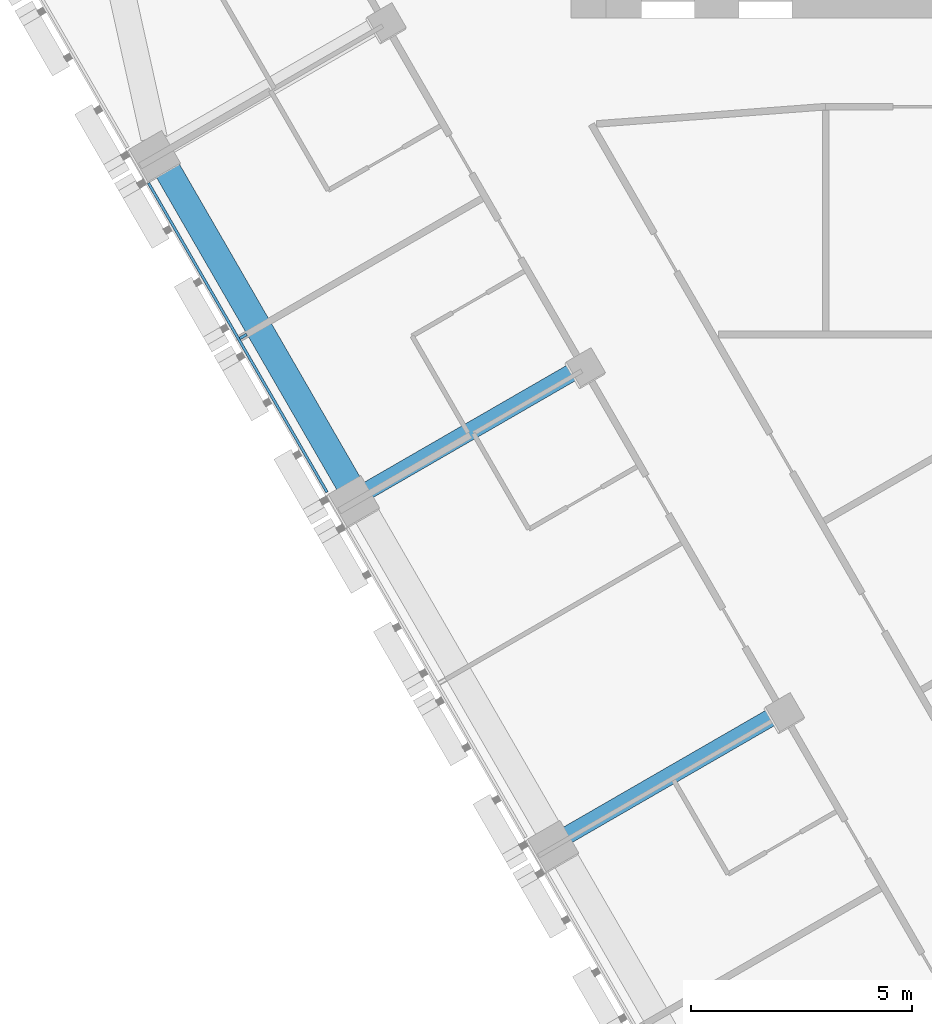
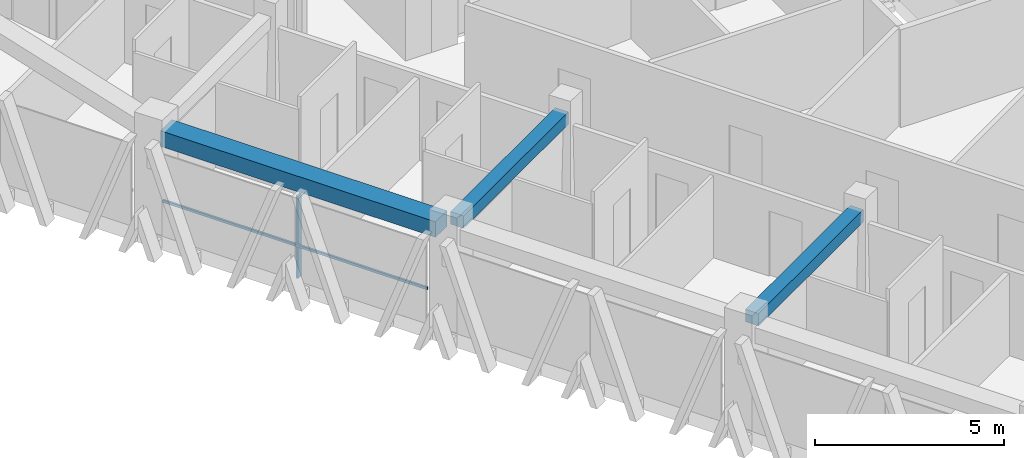
# One storey, part 3 of 16: 3 beams, 2 members, 1 element without a shape of its own.
"""IFC4 building model written with IfcOpenShell, lengths in metres."""

from ifc_helpers import new_model, si_unit, direction, frame, origin, origin_2d, place, context, subcontext, project, spatial, rectangle, extrude, material, layer, layer_set, material_profile, profile_set, type_object, element, aggregate, save


model = new_model("IFC4")

# Units and contexts
model_context = context("Model", 3, precision=1e-05, world=origin(), true_north=direction((0.0, 1.0)))
body_context = subcontext(model_context, "Body", "Model", "MODEL_VIEW")
ifc_project = project(units=[si_unit("LENGTHUNIT", "METRE"), si_unit("AREAUNIT", "SQUARE_METRE"), si_unit("VOLUMEUNIT", "CUBIC_METRE"), si_unit("PLANEANGLEUNIT", "RADIAN"), si_unit("MASSUNIT", "GRAM", prefix="KILO")], contexts=[model_context])

# Site, building, storey
site_placement = place(None, origin())
site = spatial("IfcSite", under=ifc_project, at=site_placement, CompositionType="ELEMENT")
building_placement = place(site_placement, origin())
building = spatial("IfcBuilding", under=site, at=building_placement, Name="Altiplano Prism Tower", CompositionType="ELEMENT")
storey_placement = place(building_placement, frame((0.0, 0.0, 131.39990234375)))
storey = spatial("IfcBuildingStorey", under=building, at=storey_placement, Name="L33", CompositionType="ELEMENT", Elevation=131.39990234375)

# Curtain wall, members
ifc_material_1 = material(Name="Aluminium and glass", Category="aluminium")
ifc_layer = layer(ifc_material_1, 0.280029296875)
ifc_layer_set = layer_set([ifc_layer], Name="Aluminium and glass")
curtain_wall_type = type_object("IfcCurtainWallType", Name="CW1 typical co-living unitised curtain wall", PredefinedType="NOTDEFINED", material=ifc_layer_set)
curtain_wall_placement = place(storey_placement, origin())
curtain_wall = element("IfcCurtainWall", 1, at=curtain_wall_placement, inside=storey, type_object=curtain_wall_type, Name="CW1 curtain wall south-west face L33", PredefinedType="NOTDEFINED")
ifc_material_2 = material(Name="Aluminium", Category="aluminium")
ifc_material_profile_1 = material_profile(ifc_material_2, rectangle(XDim=0.179931640625, YDim=0.06494140625, at=origin_2d()), Name="CW1 mullion 65 x 180")
ifc_profile_set_1 = profile_set([ifc_material_profile_1], Name="Aluminium")
member_type_1 = type_object("IfcMemberType", Name="CW1 mullion 65 x 180", PredefinedType="MULLION", material=ifc_profile_set_1)
member_1_placement = place(storey_placement, frame((64.797607421875, 85.406982421875, 0.0), z_axis=(0.0, 0.0, 1.0), x_axis=(0.86602540251, 0.500000002207, 0.0)))
member_1 = element("IfcMember", 2, at=member_1_placement, type_object=member_type_1, Name="CW1 mullion", PredefinedType="MULLION", context=body_context, shape_type="SweptSolid", body=[
    extrude(rectangle(XDim=0.179931640625, YDim=0.06494140625, at=origin_2d()), origin(), (0.0, 0.0, 1.0), 2.650146484375),
])
ifc_material_profile_2 = material_profile(ifc_material_2, rectangle(XDim=0.06005859375, YDim=0.080078125, at=origin_2d()), Name="CW1 transom 80 x 60")
ifc_profile_set_2 = profile_set([ifc_material_profile_2], Name="Aluminium")
member_type_2 = type_object("IfcMemberType", Name="CW1 transom 80 x 60", PredefinedType="USERDEFINED", material=ifc_profile_set_2)
member_2_placement = place(storey_placement, frame((62.656494140625, 88.87548828125, 1.10009765625), z_axis=(0.500030598376, -0.866007737083, 0.0), x_axis=(0.866007737083, 0.500030598376, 0.0)))
member_2 = element("IfcMember", 3, at=member_2_placement, type_object=member_type_2, Name="CW1 transom", ObjectType="TRANSOM", PredefinedType="USERDEFINED", context=body_context, shape_type="SweptSolid", body=[
    extrude(rectangle(XDim=0.06005859375, YDim=0.080078125, at=origin_2d()), origin(), (0.0, 0.0, 1.0), 8.06982421875),
])
aggregate(curtain_wall, [member_1, member_2])

# Beams
ifc_material_3 = material(Name="Concrete C60/75", Category="concrete")
ifc_material_profile_3 = material_profile(ifc_material_3, rectangle(XDim=0.60009765625, YDim=0.5, at=origin_2d()), Name="Edge beam 600x500")
ifc_profile_set_3 = profile_set([ifc_material_profile_3], Name="Concrete C60/75")
beam_type_1 = type_object("IfcBeamType", Name="Edge beam 600x500", PredefinedType="SPANDREL", material=ifc_profile_set_3)
beam_placement = place(storey_placement, frame((63.00537109375, 89.30859375, 2.900146484375), z_axis=(0.500010445942, -0.866019372733, 0.0), x_axis=(0.866019372733, 0.500010445942, 0.0)))
element("IfcBeam", 4, at=beam_placement, inside=storey, type_object=beam_type_1, Name="Edge beam P11-P12 L34", PredefinedType="SPANDREL", context=body_context, shape_type="SweptSolid", body=[
    extrude(rectangle(XDim=0.60009765625, YDim=0.5, at=origin_2d()), origin(), (0.0, 0.0, 1.0), 8.389892578125),
])
ifc_material_profile_4 = material_profile(ifc_material_3, rectangle(XDim=0.39990234375, YDim=0.39990234375, at=origin_2d()), Name="Tie beam 400x400")
ifc_profile_set_4 = profile_set([ifc_material_profile_4], Name="Concrete C60/75")
beam_type_2 = type_object("IfcBeamType", Name="Tie beam 400x400", PredefinedType="BEAM", material=ifc_profile_set_4)
for number, where, z_axis, x_axis, name in (
    (5, (72.414794921875, 84.700927734375, 2.9501953125), (-0.866027073272, -0.499997108352, 0.0), (0.499997108352, -0.866027073272, 0.0), "Tie beam I12 L34"),
    (6, (76.914794921875, 76.90673828125, 2.9501953125), (-0.866027073272, -0.499997108352, 0.0), (0.499997108352, -0.866027073272, 0.0), "Tie beam I13 L34"),
):
    element("IfcBeam", number, at=place(storey_placement, frame(where, z_axis=z_axis, x_axis=x_axis)), inside=storey, type_object=beam_type_2, Name=name, PredefinedType="BEAM", context=body_context, shape_type="SweptSolid", body=[
        extrude(rectangle(XDim=0.39990234375, YDim=0.39990234375, at=origin_2d()), origin(), (0.0, 0.0, 1.0), 5.5400390625),
    ])

save(model, "model.ifc")
